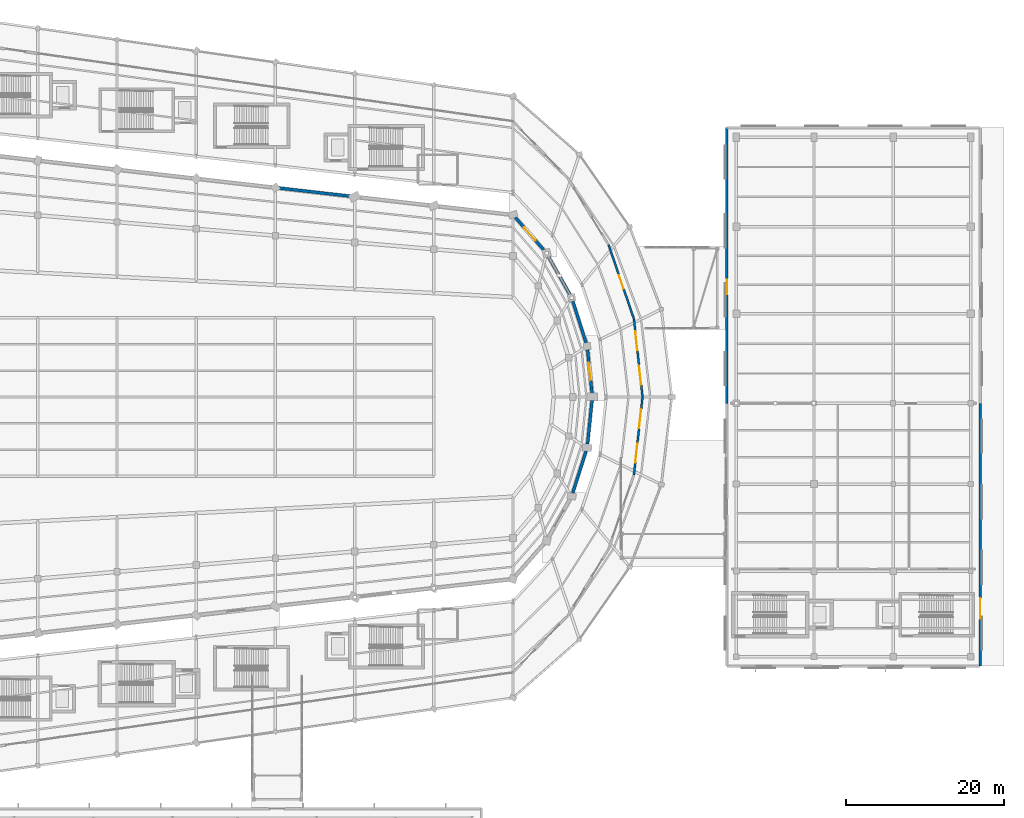
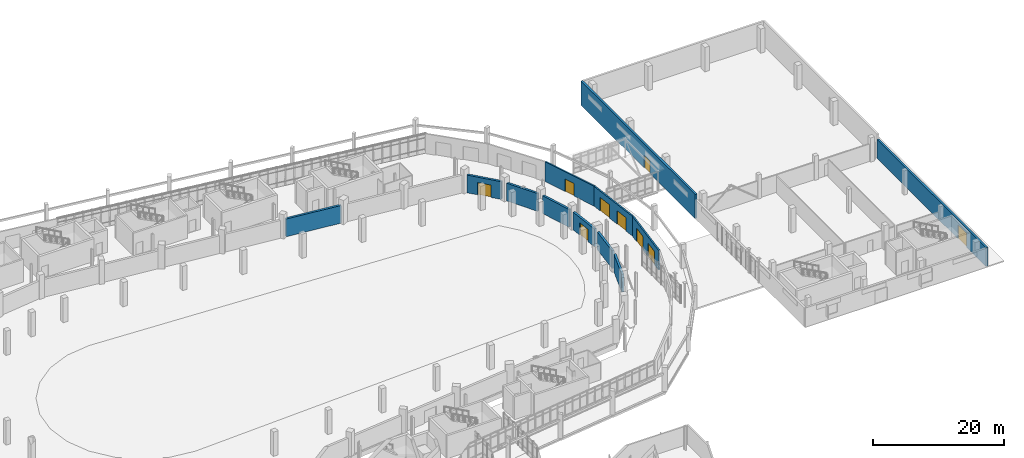
# One storey, part 108 of 122: 12 walls, 9 doors, 9 openings.
"""IFC4 building model written with IfcOpenShell, lengths in metres."""

from ifc_helpers import new_model, si_unit, direction, frame, frame_2d, origin, place, context, subcontext, project, spatial, rectangle, extrude, material, layer, layer_set, type_object, element, fill, save


model = new_model("IFC4")

# Units and contexts
model_context = context("Model", 3, precision=1e-05, world=origin(), true_north=direction((0.0, 1.0)))
body_context = subcontext(model_context, "Body", "Model", "MODEL_VIEW")
ifc_project = project(units=[si_unit("LENGTHUNIT", "METRE"), si_unit("AREAUNIT", "SQUARE_METRE"), si_unit("VOLUMEUNIT", "CUBIC_METRE"), si_unit("PLANEANGLEUNIT", "RADIAN"), si_unit("MASSUNIT", "GRAM", prefix="KILO")], contexts=[model_context])

# Site, building, storey
site_placement = place(None, origin())
site = spatial("IfcSite", under=ifc_project, at=site_placement, CompositionType="ELEMENT")
building_placement = place(site_placement, origin())
building = spatial("IfcBuilding", under=site, at=building_placement, Name="Sohan Crest Arena", CompositionType="ELEMENT")
storey_placement = place(building_placement, origin())
storey = spatial("IfcBuildingStorey", under=building, at=storey_placement, Name="L00", CompositionType="ELEMENT", Elevation=0.0)

# Wall, openings, doors
ifc_material_1 = material(Name="Margalla limestone ashlar envelope wall", Category="masonry")
ifc_layer_1 = layer(ifc_material_1, 0.260009765625, Name="Margalla limestone ashlar envelope wall")
ifc_layer_set_1 = layer_set([ifc_layer_1], Name="Margalla limestone ashlar envelope wall")
wall_type_1 = type_object("IfcWallType", Name="WAL-EW01", PredefinedType="SOLIDWALL", material=ifc_layer_set_1)
wall_1_placement = place(storey_placement, frame((183.26904296875, 68.14990234375, 0.0), z_axis=(0.0, 0.0, 1.0), x_axis=(0.109679793845, 0.993966972702, 0.0)))
wall_1 = element("IfcWall", 1, at=wall_1_placement, inside=storey, type_object=wall_type_1, Name="External wall EW-082", PredefinedType="SOLIDWALL", context=body_context, shape_type="SweptSolid", body=[
    extrude(rectangle(XDim=9.909912109375, YDim=0.260009765625, at=frame_2d((4.955078125, 0.0))), origin(), (0.0, 0.0, 1.0), 3.679931640625),
])
opening_1_placement = place(wall_1_placement, frame((1.574951171875, 0.0, 0.0)))
opening_1 = element("IfcOpeningElement", 2, at=opening_1_placement, cuts=wall_1, Name="Opening G13", PredefinedType="OPENING", context=body_context, shape_type="SweptSolid", body=[
    extrude(rectangle(XDim=2.39990234375, YDim=2.5, at=frame_2d((1.199951171875, 1.25))), frame((0.0, 0.139892578125, 0.0), z_axis=(0.0, -1.0, 0.0), x_axis=(1.0, 0.0, 0.0)), (0.0, 0.0, 1.0), 0.280029296875),
])
opening_2_placement = place(wall_1_placement, frame((5.93505859375, 0.0, 0.0)))
opening_2 = element("IfcOpeningElement", 3, at=opening_2_placement, cuts=wall_1, Name="Opening G14", PredefinedType="OPENING", context=body_context, shape_type="SweptSolid", body=[
    extrude(rectangle(XDim=2.39990234375, YDim=2.5, at=frame_2d((1.199951171875, 1.25))), frame((0.0, 0.139892578125, 0.0), z_axis=(0.0, -1.0, 0.0), x_axis=(1.0, 0.0, 0.0)), (0.0, 0.0, 1.0), 0.280029296875),
])
ifc_material_2 = material(Name="Galvanised steel acoustic final exit door", Category="steel")
door_type_1 = type_object("IfcDoorType", Name="DR-G01", OperationType="DOUBLE_DOOR_SINGLE_SWING", PredefinedType="DOOR", material=ifc_material_2)
door_1_placement = place(opening_1_placement, frame((2.39990234375, 0.0, 0.0), z_axis=(0.0, 0.0, 1.0), x_axis=(-1.0, 0.0, 0.0)))
door_1 = element("IfcDoor", 4, at=door_1_placement, inside=storey, type_object=door_type_1, Name="Pedestrian exit gate G13", OperationType="DOUBLE_DOOR_SINGLE_SWING", OverallHeight=2.5, OverallWidth=2.39990234375, PredefinedType="DOOR", context=body_context, shape_type="SweptSolid", body=[
    extrude(rectangle(XDim=2.39990234375, YDim=2.5, at=frame_2d((1.199951171875, 1.25))), frame((0.0, 0.02490234375, 0.0), z_axis=(0.0, -1.0, 0.0), x_axis=(1.0, 0.0, 0.0)), (0.0, 0.0, 1.0), 0.050048828125),
])
fill(opening_1, door_1)
door_2_placement = place(opening_2_placement, frame((2.39990234375, 0.0, 0.0), z_axis=(0.0, 0.0, 1.0), x_axis=(-1.0, 0.0, 0.0)))
door_2 = element("IfcDoor", 5, at=door_2_placement, inside=storey, type_object=door_type_1, Name="Pedestrian exit gate G14", OperationType="DOUBLE_DOOR_SINGLE_SWING", OverallHeight=2.5, OverallWidth=2.39990234375, PredefinedType="DOOR", context=body_context, shape_type="SweptSolid", body=[
    extrude(rectangle(XDim=2.39990234375, YDim=2.5, at=frame_2d((1.199951171875, 1.25))), frame((0.0, 0.02490234375, 0.0), z_axis=(0.0, -1.0, 0.0), x_axis=(1.0, 0.0, 0.0)), (0.0, 0.0, 1.0), 0.050048828125),
])
fill(opening_2, door_2)

wall_2_placement = place(storey_placement, frame((184.35595703125, 78.0, 0.0), z_axis=(0.0, 0.0, 1.0), x_axis=(-0.109679793845, 0.993966972702, 0.0)))
wall_2 = element("IfcWall", 6, at=wall_2_placement, inside=storey, type_object=wall_type_1, Name="External wall EW-083", PredefinedType="SOLIDWALL", context=body_context, shape_type="SweptSolid", body=[
    extrude(rectangle(XDim=9.909912109375, YDim=0.260009765625, at=frame_2d((4.955078125, 0.0))), origin(), (0.0, 0.0, 1.0), 3.679931640625),
])
opening_3_placement = place(wall_2_placement, frame((1.574951171875, 0.0, 0.0)))
opening_3 = element("IfcOpeningElement", 7, at=opening_3_placement, cuts=wall_2, Name="Opening G15", PredefinedType="OPENING", context=body_context, shape_type="SweptSolid", body=[
    extrude(rectangle(XDim=2.39990234375, YDim=2.5, at=frame_2d((1.199951171875, 1.25))), frame((0.0, 0.139892578125, 0.0), z_axis=(0.0, -1.0, 0.0), x_axis=(1.0, 0.0, 0.0)), (0.0, 0.0, 1.0), 0.280029296875),
])
opening_4_placement = place(wall_2_placement, frame((5.93505859375, 0.0, 0.0)))
opening_4 = element("IfcOpeningElement", 8, at=opening_4_placement, cuts=wall_2, Name="Opening G16", PredefinedType="OPENING", context=body_context, shape_type="SweptSolid", body=[
    extrude(rectangle(XDim=2.39990234375, YDim=2.5, at=frame_2d((1.199951171875, 1.25))), frame((0.0, 0.139892578125, 0.0), z_axis=(0.0, -1.0, 0.0), x_axis=(1.0, 0.0, 0.0)), (0.0, 0.0, 1.0), 0.280029296875),
])
door_3_placement = place(opening_3_placement, frame((2.39990234375, 0.0, 0.0), z_axis=(0.0, 0.0, 1.0), x_axis=(-1.0, 0.0, 0.0)))
door_3 = element("IfcDoor", 9, at=door_3_placement, inside=storey, type_object=door_type_1, Name="Pedestrian exit gate G15", OperationType="DOUBLE_DOOR_SINGLE_SWING", OverallHeight=2.5, OverallWidth=2.39990234375, PredefinedType="DOOR", context=body_context, shape_type="SweptSolid", body=[
    extrude(rectangle(XDim=2.39990234375, YDim=2.5, at=frame_2d((1.199951171875, 1.25))), frame((0.0, 0.02490234375, 0.0), z_axis=(0.0, -1.0, 0.0), x_axis=(1.0, 0.0, 0.0)), (0.0, 0.0, 1.0), 0.050048828125),
])
fill(opening_3, door_3)
door_4_placement = place(opening_4_placement, frame((2.39990234375, 0.0, 0.0), z_axis=(0.0, 0.0, 1.0), x_axis=(-1.0, 0.0, 0.0)))
door_4 = element("IfcDoor", 10, at=door_4_placement, inside=storey, type_object=door_type_1, Name="Pedestrian exit gate G16", OperationType="DOUBLE_DOOR_SINGLE_SWING", OverallHeight=2.5, OverallWidth=2.39990234375, PredefinedType="DOOR", context=body_context, shape_type="SweptSolid", body=[
    extrude(rectangle(XDim=2.39990234375, YDim=2.5, at=frame_2d((1.199951171875, 1.25))), frame((0.0, 0.02490234375, 0.0), z_axis=(0.0, -1.0, 0.0), x_axis=(1.0, 0.0, 0.0)), (0.0, 0.0, 1.0), 0.050048828125),
])
fill(opening_4, door_4)

# Wall, opening, door
wall_3_placement = place(storey_placement, frame((183.26904296875, 87.85009765625, 0.0), z_axis=(0.0, 0.0, 1.0), x_axis=(-0.323550690773, 0.946210838292, 0.0)))
wall_3 = element("IfcWall", 11, at=wall_3_placement, inside=storey, type_object=wall_type_1, Name="External wall EW-084", PredefinedType="SOLIDWALL", context=body_context, shape_type="SweptSolid", body=[
    extrude(rectangle(XDim=9.908935546875, YDim=0.260009765625, at=frame_2d((4.95458984375, 0.0))), origin(), (0.0, 0.0, 1.0), 3.679931640625),
])
opening_5_placement = place(wall_3_placement, frame((4.053955078125, 0.0, 0.0)))
opening_5 = element("IfcOpeningElement", 12, at=opening_5_placement, cuts=wall_3, Name="Opening BD-L00-25", PredefinedType="OPENING", context=body_context, shape_type="SweptSolid", body=[
    extrude(rectangle(XDim=1.800048828125, YDim=2.35009765625, at=frame_2d((0.89990234375, 1.175048828125))), frame((0.0, 0.139892578125, 0.0), z_axis=(0.0, -1.0, 0.0), x_axis=(1.0, 0.0, 0.0)), (0.0, 0.0, 1.0), 0.280029296875),
])
ifc_material_3 = material(Name="Glazed aluminium terrace access door", Category="aluminium")
door_type_2 = type_object("IfcDoorType", Name="DR-ED01", OperationType="DOUBLE_DOOR_SINGLE_SWING", PredefinedType="DOOR", material=ifc_material_3)
door_5_placement = place(opening_5_placement, frame((1.800048828125, 0.0, 0.0), z_axis=(0.0, 0.0, 1.0), x_axis=(-1.0, 0.0, 0.0)))
door_5 = element("IfcDoor", 13, at=door_5_placement, inside=storey, type_object=door_type_2, Name="Covered bridge passage door BD-L00-25", OperationType="DOUBLE_DOOR_SINGLE_SWING", OverallHeight=2.35009765625, OverallWidth=1.800048828125, PredefinedType="DOOR", context=body_context, shape_type="SweptSolid", body=[
    extrude(rectangle(XDim=1.800048828125, YDim=2.35009765625, at=frame_2d((0.89990234375, 1.175048828125))), frame((0.0, 0.02490234375, 0.0), z_axis=(0.0, -1.0, 0.0), x_axis=(1.0, 0.0, 0.0)), (0.0, 0.0, 1.0), 0.050048828125),
])
fill(opening_5, door_5)

ifc_material_4 = material(Name="Honed dark basalt stone cladding wall", Category="masonry")
ifc_layer_2 = layer(ifc_material_4, 0.340087890625, Name="Honed dark basalt stone cladding wall")
ifc_layer_set_2 = layer_set([ifc_layer_2], Name="Honed dark basalt stone cladding wall")
wall_type_2 = type_object("IfcWallType", Name="WAL-EW04", PredefinedType="SOLIDWALL", material=ifc_layer_set_2)
wall_4_placement = place(storey_placement, frame((227.0, 44.0, 0.0), z_axis=(0.0, 0.0, 1.0), x_axis=(0.0, 1.0, 0.0)))
wall_4 = element("IfcWall", 14, at=wall_4_placement, inside=storey, type_object=wall_type_2, Name="External wall EW-103", PredefinedType="SOLIDWALL", context=body_context, shape_type="SweptSolid", body=[
    extrude(rectangle(XDim=33.199951171875, YDim=0.340087890625, at=frame_2d((16.60009765625, 0.0))), origin(), (0.0, 0.0, 1.0), 3.550048828125),
])
opening_6_placement = place(wall_4_placement, frame((6.0, 0.0, 0.0)))
opening_6 = element("IfcOpeningElement", 15, at=opening_6_placement, cuts=wall_4, Name="Opening E07", PredefinedType="OPENING", context=body_context, shape_type="SweptSolid", body=[
    extrude(rectangle(XDim=2.60009765625, YDim=2.60009765625, at=frame_2d((1.300048828125, 1.300048828125))), frame((0.0, 0.179931640625, 0.0), z_axis=(0.0, -1.0, 0.0), x_axis=(1.0, 0.0, 0.0)), (0.0, 0.0, 1.0), 0.360107421875),
])
ifc_material_5 = material(Name="Thermally broken glazed aluminium entrance door", Category="aluminium")
door_type_3 = type_object("IfcDoorType", Name="DR-E02", OperationType="DOUBLE_DOOR_SINGLE_SWING", PredefinedType="DOOR", material=ifc_material_5)
door_6_placement = place(opening_6_placement, frame((2.60009765625, 0.0, 0.0), z_axis=(0.0, 0.0, 1.0), x_axis=(-1.0, 0.0, 0.0)))
door_6 = element("IfcDoor", 16, at=door_6_placement, inside=storey, type_object=door_type_3, Name="Practice hall entrance E07", OperationType="DOUBLE_DOOR_SINGLE_SWING", OverallHeight=2.60009765625, OverallWidth=2.60009765625, PredefinedType="DOOR", context=body_context, shape_type="SweptSolid", body=[
    extrude(rectangle(XDim=2.60009765625, YDim=2.60009765625, at=frame_2d((1.300048828125, 1.300048828125))), frame((0.0, 0.02490234375, 0.0), z_axis=(0.0, -1.0, 0.0), x_axis=(1.0, 0.0, 0.0)), (0.0, 0.0, 1.0), 0.050048828125),
])
fill(opening_6, door_6)

wall_5_placement = place(storey_placement, frame((195.0, 112.0, 0.0), z_axis=(0.0, 0.0, 1.0), x_axis=(0.0, -1.0, 0.0)))
wall_5 = element("IfcWall", 17, at=wall_5_placement, inside=storey, type_object=wall_type_2, Name="External wall EW-106", PredefinedType="SOLIDWALL", context=body_context, shape_type="SweptSolid", body=[
    extrude(rectangle(XDim=34.800048828125, YDim=0.340087890625, at=frame_2d((17.39990234375, 0.0))), origin(), (0.0, 0.0, 1.0), 4.5),
])
opening_7_placement = place(wall_5_placement, frame((19.199951171875, 0.0, 0.0)))
opening_7 = element("IfcOpeningElement", 18, at=opening_7_placement, cuts=wall_5, Name="Opening V4B-L00-92", PredefinedType="OPENING", context=body_context, shape_type="SweptSolid", body=[
    extrude(rectangle(XDim=1.800048828125, YDim=2.35009765625, at=frame_2d((0.89990234375, 1.175048828125))), frame((0.0, 0.179931640625, 0.0), z_axis=(0.0, -1.0, 0.0), x_axis=(1.0, 0.0, 0.0)), (0.0, 0.0, 1.0), 0.360107421875),
])
door_7_placement = place(opening_7_placement, frame((1.800048828125, 0.0, 0.0), z_axis=(0.0, 0.0, 1.0), x_axis=(-1.0, 0.0, 0.0)))
door_7 = element("IfcDoor", 19, at=door_7_placement, inside=storey, type_object=door_type_2, Name="Practice court bridge door V4B-L00-92", OperationType="DOUBLE_DOOR_SINGLE_SWING", OverallHeight=2.35009765625, OverallWidth=1.800048828125, PredefinedType="DOOR", context=body_context, shape_type="SweptSolid", body=[
    extrude(rectangle(XDim=1.800048828125, YDim=2.35009765625, at=frame_2d((0.89990234375, 1.175048828125))), frame((0.0, 0.02490234375, 0.0), z_axis=(0.0, -1.0, 0.0), x_axis=(1.0, 0.0, 0.0)), (0.0, 0.0, 1.0), 0.050048828125),
])
fill(opening_7, door_7)

# Walls
ifc_material_6 = material(Name="Acoustic insulated bowl drum enclosure wall", Category="masonry")
ifc_layer_3 = layer(ifc_material_6, 0.3701171875, Name="Acoustic insulated bowl drum enclosure wall")
ifc_layer_set_3 = layer_set([ifc_layer_3], Name="Acoustic insulated bowl drum enclosure wall")
wall_type_3 = type_object("IfcWallType", Name="WAL-EW05", PredefinedType="SOLIDWALL", material=ifc_layer_set_3)
wall_6_placement = place(storey_placement, frame((175.5419921875, 65.8740234375, 0.0), z_axis=(0.0, 0.0, 1.0), x_axis=(0.30346633641, 0.952842160416, 0.0)))
element("IfcWall", 20, at=wall_6_placement, inside=storey, type_object=wall_type_3, Name="Acoustic bowl drum wall BW-L00-22", PredefinedType="SOLIDWALL", context=body_context, shape_type="SweptSolid", body=[
    extrude(rectangle(XDim=5.562255859375, YDim=0.3701171875, at=frame_2d((2.78125, 0.0))), origin(), (0.0, 0.0, 1.0), 3.300048828125),
])
wall_7_placement = place(storey_placement, frame((177.407958984375, 72.031005859375, 0.0), z_axis=(0.0, 0.0, 1.0), x_axis=(0.102524636366, 0.994730465472, 0.0)))
element("IfcWall", 21, at=wall_7_placement, inside=storey, type_object=wall_type_3, Name="Acoustic bowl drum wall BW-L00-23", PredefinedType="SOLIDWALL", context=body_context, shape_type="SweptSolid", body=[
    extrude(rectangle(XDim=5.560302734375, YDim=0.3701171875, at=frame_2d((2.7802734375, 0.0))), origin(), (0.0, 0.0, 1.0), 3.300048828125),
])

# Wall, opening, door
wall_8_placement = place(storey_placement, frame((177.97802734375, 78.43798828125, 0.0), z_axis=(0.0, 0.0, 1.0), x_axis=(-0.102524636366, 0.994730465472, 0.0)))
wall_8 = element("IfcWall", 22, at=wall_8_placement, inside=storey, type_object=wall_type_3, Name="Acoustic bowl drum wall BW-L00-24", PredefinedType="SOLIDWALL", context=body_context, shape_type="SweptSolid", body=[
    extrude(rectangle(XDim=5.560302734375, YDim=0.3701171875, at=frame_2d((2.7802734375, 0.0))), origin(), (0.0, 0.0, 1.0), 3.300048828125),
])
opening_8_placement = place(wall_8_placement, frame((1.679931640625, 0.0, 0.0)))
opening_8 = element("IfcOpeningElement", 23, at=opening_8_placement, cuts=wall_8, Name="Opening VD-L00-24", PredefinedType="OPENING", context=body_context, shape_type="SweptSolid", body=[
    extrude(rectangle(XDim=2.199951171875, YDim=2.300048828125, at=frame_2d((1.10009765625, 1.14990234375))), frame((0.0, 0.195068359375, 0.0), z_axis=(0.0, -1.0, 0.0), x_axis=(1.0, 0.0, 0.0)), (0.0, 0.0, 1.0), 0.39013671875),
])
ifc_material_7 = material(Name="Fire-rated steel double escape door", Category="steel")
door_type_4 = type_object("IfcDoorType", Name="DR-FD01", OperationType="DOUBLE_DOOR_SINGLE_SWING", PredefinedType="DOOR", material=ifc_material_7)
door_8_placement = place(opening_8_placement, origin())
door_8 = element("IfcDoor", 24, at=door_8_placement, inside=storey, type_object=door_type_4, Name="Bowl vomitory portal fire door VD-L00-24", OperationType="DOUBLE_DOOR_SINGLE_SWING", OverallHeight=2.300048828125, OverallWidth=2.199951171875, PredefinedType="DOOR", context=body_context, shape_type="SweptSolid", body=[
    extrude(rectangle(XDim=2.199951171875, YDim=2.300048828125, at=frame_2d((1.10009765625, 1.14990234375))), frame((0.0, 0.02490234375, 0.0), z_axis=(0.0, -1.0, 0.0), x_axis=(1.0, 0.0, 0.0)), (0.0, 0.0, 1.0), 0.050048828125),
])
fill(opening_8, door_8)

# Walls
wall_9_placement = place(storey_placement, frame((177.22998046875, 84.825927734375, 0.0), z_axis=(0.0, 0.0, 1.0), x_axis=(-0.30346633641, 0.952842160416, 0.0)))
element("IfcWall", 25, at=wall_9_placement, inside=storey, type_object=wall_type_3, Name="Acoustic bowl drum wall BW-L00-25", PredefinedType="SOLIDWALL", context=body_context, shape_type="SweptSolid", body=[
    extrude(rectangle(XDim=5.562255859375, YDim=0.3701171875, at=frame_2d((2.78125, 0.0))), origin(), (0.0, 0.0, 1.0), 3.300048828125),
])
wall_10_placement = place(storey_placement, frame((175.193115234375, 90.927978515625, 0.0), z_axis=(0.0, 0.0, 1.0), x_axis=(-0.491617455844, 0.870811275254, 0.0)))
element("IfcWall", 26, at=wall_10_placement, inside=storey, type_object=wall_type_3, Name="Acoustic bowl drum wall BW-L00-26", PredefinedType="SOLIDWALL", context=body_context, shape_type="SweptSolid", body=[
    extrude(rectangle(XDim=5.5615234375, YDim=0.3701171875, at=frame_2d((2.78076171875, 0.0))), origin(), (0.0, 0.0, 1.0), 3.300048828125),
])

# Wall, opening, door
wall_11_placement = place(storey_placement, frame((171.952880859375, 96.485107421875, 0.0), z_axis=(0.0, 0.0, 1.0), x_axis=(-0.658706624818, 0.752399881991, 0.0)))
wall_11 = element("IfcWall", 27, at=wall_11_placement, inside=storey, type_object=wall_type_3, Name="Acoustic bowl drum wall BW-L00-27", PredefinedType="SOLIDWALL", context=body_context, shape_type="SweptSolid", body=[
    extrude(rectangle(XDim=5.560546875, YDim=0.3701171875, at=frame_2d((2.7802734375, 0.0))), origin(), (0.0, 0.0, 1.0), 3.300048828125),
])
opening_9_placement = place(wall_11_placement, frame((1.679931640625, 0.0, 0.0)))
opening_9 = element("IfcOpeningElement", 28, at=opening_9_placement, cuts=wall_11, Name="Opening VD-L00-27", PredefinedType="OPENING", context=body_context, shape_type="SweptSolid", body=[
    extrude(rectangle(XDim=2.199951171875, YDim=2.300048828125, at=frame_2d((1.10009765625, 1.14990234375))), frame((0.0, 0.195068359375, 0.0), z_axis=(0.0, -1.0, 0.0), x_axis=(1.0, 0.0, 0.0)), (0.0, 0.0, 1.0), 0.39013671875),
])
door_9_placement = place(opening_9_placement, origin())
door_9 = element("IfcDoor", 29, at=door_9_placement, inside=storey, type_object=door_type_4, Name="Bowl vomitory portal fire door VD-L00-27", OperationType="DOUBLE_DOOR_SINGLE_SWING", OverallHeight=2.300048828125, OverallWidth=2.199951171875, PredefinedType="DOOR", context=body_context, shape_type="SweptSolid", body=[
    extrude(rectangle(XDim=2.199951171875, YDim=2.300048828125, at=frame_2d((1.10009765625, 1.14990234375))), frame((0.0, 0.02490234375, 0.0), z_axis=(0.0, -1.0, 0.0), x_axis=(1.0, 0.0, 0.0)), (0.0, 0.0, 1.0), 0.050048828125),
])
fill(opening_9, door_9)

# Wall
wall_12_placement = place(storey_placement, frame((147.56298828125, 103.3359375, 0.0), z_axis=(0.0, 0.0, 1.0), x_axis=(-0.993532672656, 0.113546591161, 0.0)))
element("IfcWall", 30, at=wall_12_placement, inside=storey, type_object=wall_type_3, Name="Acoustic bowl drum wall BW-L00-30", PredefinedType="SOLIDWALL", context=body_context, shape_type="SweptSolid", body=[
    extrude(rectangle(XDim=9.185302734375, YDim=0.3701171875, at=frame_2d((4.5927734375, 0.0))), origin(), (0.0, 0.0, 1.0), 3.300048828125),
])

save(model, "model.ifc")
